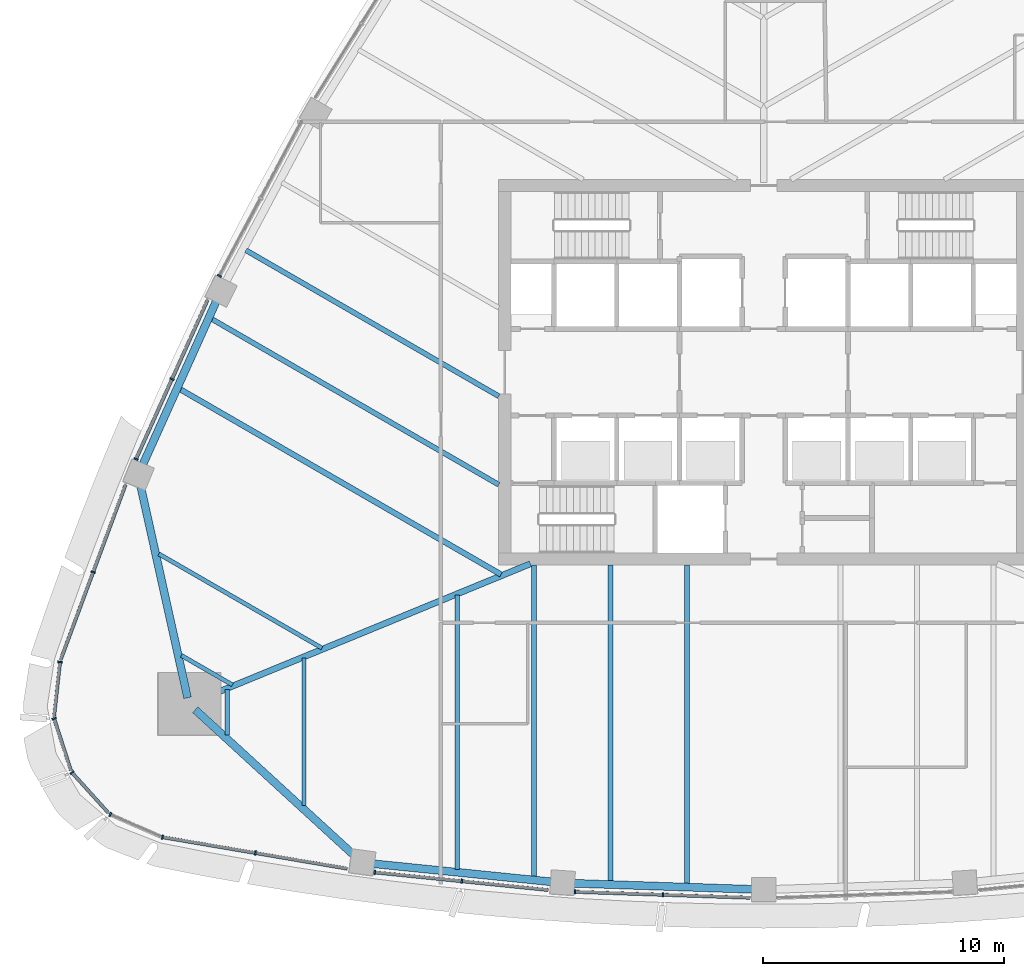
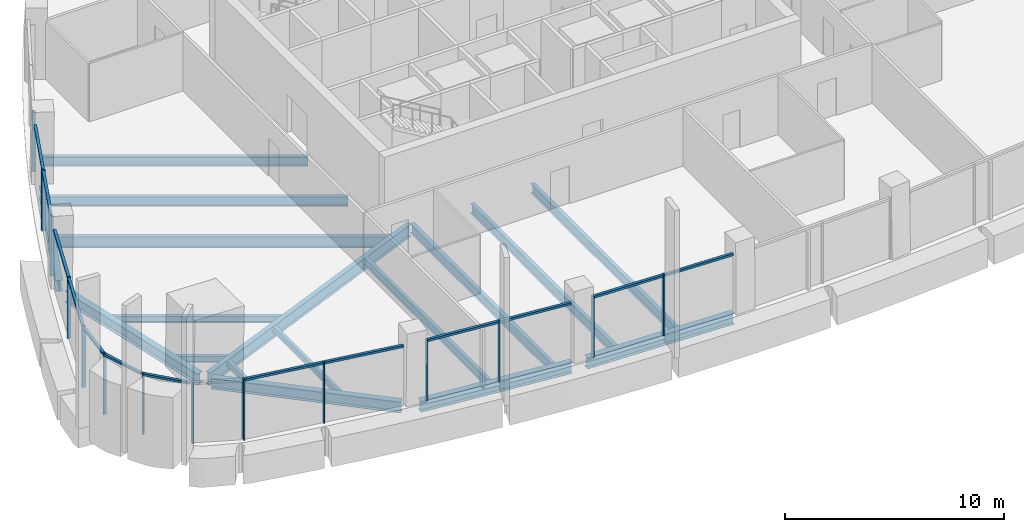
# One storey, part 2 of 17: 27 members, 17 beams, 10 elements without a shape of their own.
"""IFC4 building model written with IfcOpenShell, lengths in metres."""

from ifc_helpers import new_model, si_unit, direction, frame, origin, origin_2d, place, context, subcontext, project, spatial, rectangle, i_section, extrude, material, layer, layer_set, material_profile, profile_set, type_object, element, aggregate, save


model = new_model("IFC4")

# Units and contexts
model_context = context("Model", 3, precision=1e-05, world=origin(), true_north=direction((0.0, 1.0)))
body_context = subcontext(model_context, "Body", "Model", "MODEL_VIEW")
ifc_project = project(units=[si_unit("LENGTHUNIT", "METRE"), si_unit("AREAUNIT", "SQUARE_METRE"), si_unit("VOLUMEUNIT", "CUBIC_METRE"), si_unit("PLANEANGLEUNIT", "RADIAN"), si_unit("MASSUNIT", "GRAM", prefix="KILO")], contexts=[model_context])

# Site, building, storey
site_placement = place(None, origin())
site = spatial("IfcSite", under=ifc_project, at=site_placement, CompositionType="ELEMENT")
building_placement = place(site_placement, origin())
building = spatial("IfcBuilding", under=site, at=building_placement, Name="Sierra Prisma Convention Tower", CompositionType="ELEMENT")
storey_placement = place(building_placement, frame((0.0, 0.0, 169.800048828125)))
storey = spatial("IfcBuildingStorey", under=building, at=storey_placement, Name="L37", CompositionType="ELEMENT", Elevation=169.800048828125)

# Curtain wall, members
ifc_material_1 = material(Name="Aluminium and glass curtain wall", Category="aluminium")
ifc_layer = layer(ifc_material_1, 0.179931640625)
ifc_layer_set = layer_set([ifc_layer], Name="CW-1 Plain shaft curtain wall")
curtain_wall_type = type_object("IfcCurtainWallType", Name="CW-1 Plain shaft curtain wall", PredefinedType="NOTDEFINED", material=ifc_layer_set)
curtain_wall_1_placement = place(storey_placement, origin())
curtain_wall_1 = element("IfcCurtainWall", 1, at=curtain_wall_1_placement, inside=storey, type_object=curtain_wall_type, Name="CW-1 S1 L37", PredefinedType="NOTDEFINED")
ifc_material_2 = material(Name="Aluminium 6063-T6 bronze anodised", Category="aluminium")
ifc_material_profile_1 = material_profile(ifc_material_2, rectangle(XDim=0.179931640625, YDim=0.070068359375, at=origin_2d()), Name="ALU MULLION 70x180")
ifc_profile_set_1 = profile_set([ifc_material_profile_1], Name="Aluminium 6063-T6 bronze anodised")
member_type_1 = type_object("IfcMemberType", Name="CW mullion bronze", PredefinedType="MULLION", material=ifc_profile_set_1)
member_1_placement = place(storey_placement, frame((-24.957275390625, -19.3017578125, 0.0), z_axis=(0.0, 0.0, 1.0), x_axis=(0.167805067151, 0.985820196303, 0.0)))
member_1 = element("IfcMember", 2, at=member_1_placement, type_object=member_type_1, Name="CW-1 mullion S1.1", PredefinedType="MULLION", context=body_context, shape_type="SweptSolid", body=[
    extrude(rectangle(XDim=0.179931640625, YDim=0.070068359375, at=origin_2d()), origin(), (0.0, 0.0, 1.0), 3.39990234375),
])
member_2_placement = place(storey_placement, frame((-21.104736328125, -19.957763671875, 0.0), z_axis=(0.0, 0.0, 1.0), x_axis=(0.167805067151, 0.985820196303, 0.0)))
member_2 = element("IfcMember", 3, at=member_2_placement, type_object=member_type_1, Name="CW-1 mullion S1.2", PredefinedType="MULLION", context=body_context, shape_type="SweptSolid", body=[
    extrude(rectangle(XDim=0.179931640625, YDim=0.070068359375, at=origin_2d()), origin(), (0.0, 0.0, 1.0), 3.39990234375),
])

curtain_wall_2_placement = place(storey_placement, origin())
curtain_wall_2 = element("IfcCurtainWall", 4, at=curtain_wall_2_placement, inside=storey, type_object=curtain_wall_type, Name="CW-1 S2 L37", PredefinedType="NOTDEFINED")
member_3_placement = place(storey_placement, frame((-16.14794921875, -20.76171875, 0.0), z_axis=(0.0, 0.0, 1.0), x_axis=(0.100989190223, 0.994887523019, 0.0)))
member_3 = element("IfcMember", 5, at=member_3_placement, type_object=member_type_1, Name="CW-1 mullion S2.1", PredefinedType="MULLION", context=body_context, shape_type="SweptSolid", body=[
    extrude(rectangle(XDim=0.179931640625, YDim=0.070068359375, at=origin_2d()), origin(), (0.0, 0.0, 1.0), 3.39990234375),
])
member_4_placement = place(storey_placement, frame((-12.53076171875, -21.12890625, 0.0), z_axis=(0.0, 0.0, 1.0), x_axis=(0.100989190223, 0.994887523019, 0.0)))
member_4 = element("IfcMember", 6, at=member_4_placement, type_object=member_type_1, Name="CW-1 mullion S2.2", PredefinedType="MULLION", context=body_context, shape_type="SweptSolid", body=[
    extrude(rectangle(XDim=0.179931640625, YDim=0.070068359375, at=origin_2d()), origin(), (0.0, 0.0, 1.0), 3.39990234375),
])

curtain_wall_3_placement = place(storey_placement, origin())
curtain_wall_3 = element("IfcCurtainWall", 7, at=curtain_wall_3_placement, inside=storey, type_object=curtain_wall_type, Name="CW-1 S3 L37", PredefinedType="NOTDEFINED")
member_5_placement = place(storey_placement, frame((-7.833984375, -21.568603515625, 0.0), z_axis=(0.0, 0.0, 1.0), x_axis=(0.033714158083, 0.999431516185, 0.0)))
member_5 = element("IfcMember", 8, at=member_5_placement, type_object=member_type_1, Name="CW-1 mullion S3.1", PredefinedType="MULLION", context=body_context, shape_type="SweptSolid", body=[
    extrude(rectangle(XDim=0.179931640625, YDim=0.070068359375, at=origin_2d()), origin(), (0.0, 0.0, 1.0), 3.39990234375),
])
member_6_placement = place(storey_placement, frame((-4.184326171875, -21.691650390625, 0.0), z_axis=(0.0, 0.0, 1.0), x_axis=(0.033714158083, 0.999431516185, 0.0)))
member_6 = element("IfcMember", 9, at=member_6_placement, type_object=member_type_1, Name="CW-1 mullion S3.2", PredefinedType="MULLION", context=body_context, shape_type="SweptSolid", body=[
    extrude(rectangle(XDim=0.179931640625, YDim=0.070068359375, at=origin_2d()), origin(), (0.0, 0.0, 1.0), 3.39990234375),
])

# Curtain wall, member
curtain_wall_4_placement = place(storey_placement, origin())
curtain_wall_4 = element("IfcCurtainWall", 10, at=curtain_wall_4_placement, inside=storey, type_object=curtain_wall_type, Name="CW-1 NW4 L37", PredefinedType="NOTDEFINED")
member_7_placement = place(storey_placement, frame((-22.595947265625, 3.999755859375, 0.0), z_axis=(0.0, 0.0, 1.0), x_axis=(0.882390161401, -0.470518440726, 0.0)))
member_7 = element("IfcMember", 11, at=member_7_placement, type_object=member_type_1, Name="CW-1 mullion NW4.3", PredefinedType="MULLION", context=body_context, shape_type="SweptSolid", body=[
    extrude(rectangle(XDim=0.179931640625, YDim=0.070068359375, at=origin_2d()), origin(), (0.0, 0.0, 1.0), 3.39990234375),
])
aggregate(curtain_wall_4, [member_7])

# Curtain wall, members
curtain_wall_5_placement = place(storey_placement, origin())
curtain_wall_5 = element("IfcCurtainWall", 12, at=curtain_wall_5_placement, inside=storey, type_object=curtain_wall_type, Name="CW-1 NW5 L37", PredefinedType="NOTDEFINED")
member_8_placement = place(storey_placement, frame((-24.5634765625, -0.28759765625, 0.0), z_axis=(0.0, 0.0, 1.0), x_axis=(0.912092463954, -0.409984557268, 0.0)))
member_8 = element("IfcMember", 13, at=member_8_placement, type_object=member_type_1, Name="CW-1 mullion NW5.2", PredefinedType="MULLION", context=body_context, shape_type="SweptSolid", body=[
    extrude(rectangle(XDim=0.179931640625, YDim=0.070068359375, at=origin_2d()), origin(), (0.0, 0.0, 1.0), 3.39990234375),
])
member_9_placement = place(storey_placement, frame((-26.05419921875, -3.603759765625, 0.0), z_axis=(0.0, 0.0, 1.0), x_axis=(0.912092463954, -0.409984557268, 0.0)))
member_9 = element("IfcMember", 14, at=member_9_placement, type_object=member_type_1, Name="CW-1 mullion NW5.3", PredefinedType="MULLION", context=body_context, shape_type="SweptSolid", body=[
    extrude(rectangle(XDim=0.179931640625, YDim=0.070068359375, at=origin_2d()), origin(), (0.0, 0.0, 1.0), 3.39990234375),
])

# Curtain wall, member
curtain_wall_6_placement = place(storey_placement, origin())
curtain_wall_6 = element("IfcCurtainWall", 15, at=curtain_wall_6_placement, inside=storey, type_object=curtain_wall_type, Name="CW-1 NW6 L37", PredefinedType="NOTDEFINED")
member_10_placement = place(storey_placement, frame((-27.836181640625, -8.29833984375, 0.0), z_axis=(0.0, 0.0, 1.0), x_axis=(0.937647867137, -0.347586647115, 0.0)))
member_10 = element("IfcMember", 16, at=member_10_placement, type_object=member_type_1, Name="CW-1 mullion NW6.2", PredefinedType="MULLION", context=body_context, shape_type="SweptSolid", body=[
    extrude(rectangle(XDim=0.179931640625, YDim=0.070068359375, at=origin_2d()), origin(), (0.0, 0.0, 1.0), 3.39990234375),
])

curtain_wall_7_placement = place(storey_placement, origin())
curtain_wall_7 = element("IfcCurtainWall", 17, at=curtain_wall_7_placement, inside=storey, type_object=curtain_wall_type, Name="CW-1 SW1 L37", PredefinedType="NOTDEFINED")
member_11_placement = place(storey_placement, frame((-29.210693359375, -12.0302734375, 0.0), z_axis=(0.0, 0.0, 1.0), x_axis=(0.993949847664, -0.109834877556, 0.0)))
member_11 = element("IfcMember", 18, at=member_11_placement, type_object=member_type_1, Name="CW-1 mullion SW1.1", PredefinedType="MULLION", context=body_context, shape_type="SweptSolid", body=[
    extrude(rectangle(XDim=0.179931640625, YDim=0.070068359375, at=origin_2d()), origin(), (0.0, 0.0, 1.0), 3.39990234375),
])

curtain_wall_8_placement = place(storey_placement, origin())
curtain_wall_8 = element("IfcCurtainWall", 19, at=curtain_wall_8_placement, inside=storey, type_object=curtain_wall_type, Name="CW-1 SW2 L37", PredefinedType="NOTDEFINED")
member_12_placement = place(storey_placement, frame((-29.45556640625, -14.377685546875, 0.0), z_axis=(0.0, 0.0, 1.0), x_axis=(0.95160476925, 0.307324524143, 0.0)))
member_12 = element("IfcMember", 20, at=member_12_placement, type_object=member_type_1, Name="CW-1 mullion SW2.1", PredefinedType="MULLION", context=body_context, shape_type="SweptSolid", body=[
    extrude(rectangle(XDim=0.179931640625, YDim=0.070068359375, at=origin_2d()), origin(), (0.0, 0.0, 1.0), 3.39990234375),
])

curtain_wall_9_placement = place(storey_placement, origin())
curtain_wall_9 = element("IfcCurtainWall", 21, at=curtain_wall_9_placement, inside=storey, type_object=curtain_wall_type, Name="CW-1 SW3 L37", PredefinedType="NOTDEFINED")
member_13_placement = place(storey_placement, frame((-28.716552734375, -16.619140625, 0.0), z_axis=(0.0, 0.0, 1.0), x_axis=(0.741953229739, 0.670451642462, 0.0)))
member_13 = element("IfcMember", 22, at=member_13_placement, type_object=member_type_1, Name="CW-1 mullion SW3.1", PredefinedType="MULLION", context=body_context, shape_type="SweptSolid", body=[
    extrude(rectangle(XDim=0.179931640625, YDim=0.070068359375, at=origin_2d()), origin(), (0.0, 0.0, 1.0), 3.39990234375),
])

curtain_wall_10_placement = place(storey_placement, origin())
curtain_wall_10 = element("IfcCurtainWall", 23, at=curtain_wall_10_placement, inside=storey, type_object=curtain_wall_type, Name="CW-1 SW4 L37", PredefinedType="NOTDEFINED")
member_14_placement = place(storey_placement, frame((-27.123779296875, -18.3603515625, 0.0), z_axis=(0.0, 0.0, 1.0), x_axis=(0.401855129647, 0.915703256943, 0.0)))
member_14 = element("IfcMember", 24, at=member_14_placement, type_object=member_type_1, Name="CW-1 mullion SW4.1", PredefinedType="MULLION", context=body_context, shape_type="SweptSolid", body=[
    extrude(rectangle(XDim=0.179931640625, YDim=0.070068359375, at=origin_2d()), origin(), (0.0, 0.0, 1.0), 3.39990234375),
])
aggregate(curtain_wall_10, [member_14])

# Member
ifc_material_3 = material(Name="Aluminium 6063-T6 bronze anodised", Category="aluminium")
ifc_material_profile_2 = material_profile(ifc_material_3, rectangle(XDim=0.139892578125, YDim=0.1201171875, at=origin_2d()), Name="ALU TRANSOM 120x140")
ifc_profile_set_2 = profile_set([ifc_material_profile_2], Name="Aluminium 6063-T6 bronze anodised")
member_type_2 = type_object("IfcMemberType", Name="CW transom bronze", PredefinedType="USERDEFINED", material=ifc_profile_set_2)
member_15_placement = place(storey_placement, frame((-24.9228515625, -19.3076171875, 3.33984375), z_axis=(0.985820722023, -0.167801978623, 0.0), x_axis=(0.167801978623, 0.985820722023, 0.0)))
member_15 = element("IfcMember", 25, at=member_15_placement, type_object=member_type_2, Name="CW-1 transom S1.1", ObjectType="TRANSOM", PredefinedType="USERDEFINED", context=body_context, shape_type="SweptSolid", body=[
    extrude(rectangle(XDim=0.139892578125, YDim=0.1201171875, at=origin_2d()), origin(), (0.0, 0.0, 1.0), 3.838134765625),
])

member_16_placement = place(storey_placement, frame((-21.0703125, -19.963623046875, 3.33984375), z_axis=(0.985820722023, -0.167801978623, 0.0), x_axis=(0.167801978623, 0.985820722023, 0.0)))
member_16 = element("IfcMember", 26, at=member_16_placement, type_object=member_type_2, Name="CW-1 transom S1.2", ObjectType="TRANSOM", PredefinedType="USERDEFINED", context=body_context, shape_type="SweptSolid", body=[
    extrude(rectangle(XDim=0.139892578125, YDim=0.1201171875, at=origin_2d()), origin(), (0.0, 0.0, 1.0), 3.838134765625),
])

aggregate(curtain_wall_1, [member_1, member_2, member_15, member_16])

member_17_placement = place(storey_placement, frame((-16.11328125, -20.765380859375, 3.33984375), z_axis=(0.994887625535, -0.100988180281, 0.0), x_axis=(0.100988180281, 0.994887625535, 0.0)))
member_17 = element("IfcMember", 27, at=member_17_placement, type_object=member_type_2, Name="CW-1 transom S2.1", ObjectType="TRANSOM", PredefinedType="USERDEFINED", context=body_context, shape_type="SweptSolid", body=[
    extrude(rectangle(XDim=0.139892578125, YDim=0.1201171875, at=origin_2d()), origin(), (0.0, 0.0, 1.0), 3.56591796875),
])

member_18_placement = place(storey_placement, frame((-12.49609375, -21.132568359375, 3.33984375), z_axis=(0.994887625535, -0.100988180281, 0.0), x_axis=(0.100988180281, 0.994887625535, 0.0)))
member_18 = element("IfcMember", 28, at=member_18_placement, type_object=member_type_2, Name="CW-1 transom S2.2", ObjectType="TRANSOM", PredefinedType="USERDEFINED", context=body_context, shape_type="SweptSolid", body=[
    extrude(rectangle(XDim=0.139892578125, YDim=0.1201171875, at=origin_2d()), origin(), (0.0, 0.0, 1.0), 3.56591796875),
])

aggregate(curtain_wall_2, [member_3, member_4, member_17, member_18])

member_19_placement = place(storey_placement, frame((-7.799072265625, -21.56982421875, 3.33984375), z_axis=(0.999432889211, -0.033673431133, 0.0), x_axis=(0.033673431133, 0.999432889211, 0.0)))
member_19 = element("IfcMember", 29, at=member_19_placement, type_object=member_type_2, Name="CW-1 transom S3.1", ObjectType="TRANSOM", PredefinedType="USERDEFINED", context=body_context, shape_type="SweptSolid", body=[
    extrude(rectangle(XDim=0.139892578125, YDim=0.1201171875, at=origin_2d()), origin(), (0.0, 0.0, 1.0), 3.58154296875),
])

member_20_placement = place(storey_placement, frame((-4.1494140625, -21.69287109375, 3.33984375), z_axis=(0.999430670451, -0.033739219933, 0.0), x_axis=(0.033739219933, 0.999430670451, 0.0)))
member_20 = element("IfcMember", 30, at=member_20_placement, type_object=member_type_2, Name="CW-1 transom S3.2", ObjectType="TRANSOM", PredefinedType="USERDEFINED", context=body_context, shape_type="SweptSolid", body=[
    extrude(rectangle(XDim=0.139892578125, YDim=0.1201171875, at=origin_2d()), origin(), (0.0, 0.0, 1.0), 3.581787109375),
])

aggregate(curtain_wall_3, [member_5, member_6, member_19, member_20])

member_21_placement = place(storey_placement, frame((-23.08740234375, 2.99658203125, 3.33984375), z_axis=(-0.409997383801, -0.912086698333, 0.0), x_axis=(0.912086698333, -0.409997383801, 0.0)))
member_21 = element("IfcMember", 31, at=member_21_placement, type_object=member_type_2, Name="CW-1 transom NW5.1", ObjectType="TRANSOM", PredefinedType="USERDEFINED", context=body_context, shape_type="SweptSolid", body=[
    extrude(rectangle(XDim=0.139892578125, YDim=0.1201171875, at=origin_2d()), origin(), (0.0, 0.0, 1.0), 3.565673828125),
])

member_22_placement = place(storey_placement, frame((-24.577880859375, -0.3193359375, 3.33984375), z_axis=(-0.409971780727, -0.912098206888, 0.0), x_axis=(0.912098206888, -0.409971780727, 0.0)))
member_22 = element("IfcMember", 32, at=member_22_placement, type_object=member_type_2, Name="CW-1 transom NW5.2", ObjectType="TRANSOM", PredefinedType="USERDEFINED", context=body_context, shape_type="SweptSolid", body=[
    extrude(rectangle(XDim=0.139892578125, YDim=0.1201171875, at=origin_2d()), origin(), (0.0, 0.0, 1.0), 3.56591796875),
])

aggregate(curtain_wall_5, [member_8, member_9, member_21, member_22])

member_23_placement = place(storey_placement, frame((-26.489990234375, -4.666748046875, 3.33984375), z_axis=(-0.347558804606, -0.937658187903, 0.0), x_axis=(0.937658187903, -0.347558804606, 0.0)))
member_23 = element("IfcMember", 33, at=member_23_placement, type_object=member_type_2, Name="CW-1 transom NW6.1", ObjectType="TRANSOM", PredefinedType="USERDEFINED", context=body_context, shape_type="SweptSolid", body=[
    extrude(rectangle(XDim=0.139892578125, YDim=0.1201171875, at=origin_2d()), origin(), (0.0, 0.0, 1.0), 3.838134765625),
])

member_24_placement = place(storey_placement, frame((-27.848388671875, -8.331298828125, 3.33984375), z_axis=(-0.347579535335, -0.937650503448, 0.0), x_axis=(0.937650503448, -0.347579535335, 0.0)))
member_24 = element("IfcMember", 34, at=member_24_placement, type_object=member_type_2, Name="CW-1 transom NW6.2", ObjectType="TRANSOM", PredefinedType="USERDEFINED", context=body_context, shape_type="SweptSolid", body=[
    extrude(rectangle(XDim=0.139892578125, YDim=0.1201171875, at=origin_2d()), origin(), (0.0, 0.0, 1.0), 3.837890625),
])

aggregate(curtain_wall_6, [member_10, member_23, member_24])

member_25_placement = place(storey_placement, frame((-29.21435546875, -12.065185546875, 3.33984375), z_axis=(-0.109816798726, -0.993951845271, 0.0), x_axis=(0.993951845271, -0.109816798726, 0.0)))
member_25 = element("IfcMember", 35, at=member_25_placement, type_object=member_type_2, Name="CW-1 transom SW1.1", ObjectType="TRANSOM", PredefinedType="USERDEFINED", context=body_context, shape_type="SweptSolid", body=[
    extrude(rectangle(XDim=0.139892578125, YDim=0.1201171875, at=origin_2d()), origin(), (0.0, 0.0, 1.0), 2.22314453125),
])

aggregate(curtain_wall_7, [member_11, member_25])

member_26_placement = place(storey_placement, frame((-29.44482421875, -14.410888671875, 3.33984375), z_axis=(0.307384587336, -0.951585369512, 0.0), x_axis=(0.951585369512, 0.307384587336, 0.0)))
member_26 = element("IfcMember", 36, at=member_26_placement, type_object=member_type_2, Name="CW-1 transom SW2.1", ObjectType="TRANSOM", PredefinedType="USERDEFINED", context=body_context, shape_type="SweptSolid", body=[
    extrude(rectangle(XDim=0.139892578125, YDim=0.1201171875, at=origin_2d()), origin(), (0.0, 0.0, 1.0), 2.22314453125),
])

aggregate(curtain_wall_8, [member_12, member_26])

member_27_placement = place(storey_placement, frame((-28.693115234375, -16.64501953125, 3.33984375), z_axis=(0.670455974931, -0.741949314764, 0.0), x_axis=(0.741949314764, 0.670455974931, 0.0)))
member_27 = element("IfcMember", 37, at=member_27_placement, type_object=member_type_2, Name="CW-1 transom SW3.1", ObjectType="TRANSOM", PredefinedType="USERDEFINED", context=body_context, shape_type="SweptSolid", body=[
    extrude(rectangle(XDim=0.139892578125, YDim=0.1201171875, at=origin_2d()), origin(), (0.0, 0.0, 1.0), 2.22314453125),
])

aggregate(curtain_wall_9, [member_13, member_27])

# Beams
ifc_material_4 = material(Name="Steel ASTM A992 Gr 50", Category="steel")
ifc_material_profile_3 = material_profile(ifc_material_4, i_section(OverallWidth=0.172119140625, OverallDepth=0.35791015625, WebThickness=0.0078125, FlangeThickness=0.01318359375, at=origin_2d()), Name="W360x57")
ifc_profile_set_3 = profile_set([ifc_material_profile_3], Name="Steel ASTM A992 Gr 50")
beam_type_1 = type_object("IfcBeamType", Name="Floor joist W360x57", PredefinedType="JOIST", material=ifc_profile_set_3)
beam_1_placement = place(storey_placement, frame((-22.268798828125, -15.0625, -0.3291015625), z_axis=(0.0, 1.0, 0.0), x_axis=(-1.0, 0.0, 0.0)))
element("IfcBeam", 38, at=beam_1_placement, inside=storey, type_object=beam_type_1, Name="Floor joist L37 S01", PredefinedType="JOIST", context=body_context, shape_type="SweptSolid", body=[
    extrude(i_section(OverallWidth=0.172119140625, OverallDepth=0.35791015625, WebThickness=0.0078125, FlangeThickness=0.01318359375, at=origin_2d()), origin(), (0.0, 0.0, 1.0), 1.8857421875),
])
beam_2_placement = place(storey_placement, frame((-19.08740234375, -17.9775390625, -0.3291015625), z_axis=(0.0, 1.0, 0.0), x_axis=(-1.0, 0.0, 0.0)))
element("IfcBeam", 39, at=beam_2_placement, inside=storey, type_object=beam_type_1, Name="Floor joist L37 S02", PredefinedType="JOIST", context=body_context, shape_type="SweptSolid", body=[
    extrude(i_section(OverallWidth=0.172119140625, OverallDepth=0.35791015625, WebThickness=0.0078125, FlangeThickness=0.01318359375, at=origin_2d()), origin(), (0.0, 0.0, 1.0), 6.107666015625),
])
beam_3_placement = place(storey_placement, frame((-25.11279296875, -7.54150390625, -0.3291015625), z_axis=(0.866021861762, -0.500006134913, 0.0), x_axis=(0.500006134913, 0.866021861762, 0.0)))
element("IfcBeam", 40, at=beam_3_placement, inside=storey, type_object=beam_type_1, Name="Floor joist L37 NW14", PredefinedType="JOIST", context=body_context, shape_type="SweptSolid", body=[
    extrude(i_section(OverallWidth=0.172119140625, OverallDepth=0.35791015625, WebThickness=0.0078125, FlangeThickness=0.01318359375, at=origin_2d()), origin(), (0.0, 0.0, 1.0), 7.822265625),
])
beam_4_placement = place(storey_placement, frame((-24.1787109375, -11.754150390625, -0.3291015625), z_axis=(0.866046247233, -0.49996389635, 0.0), x_axis=(0.49996389635, 0.866046247233, 0.0)))
element("IfcBeam", 41, at=beam_4_placement, inside=storey, type_object=beam_type_1, Name="Floor joist L37 NW15", PredefinedType="JOIST", context=body_context, shape_type="SweptSolid", body=[
    extrude(i_section(OverallWidth=0.172119140625, OverallDepth=0.35791015625, WebThickness=0.0078125, FlangeThickness=0.01318359375, at=origin_2d()), origin(), (0.0, 0.0, 1.0), 2.450927734375),
])
ifc_material_5 = material(Name="Steel ASTM A992 Gr 50", Category="steel")
ifc_material_profile_4 = material_profile(ifc_material_5, i_section(OverallWidth=0.18994140625, OverallDepth=0.45703125, WebThickness=0.009033203125, FlangeThickness=0.014404296875, at=origin_2d()), Name="W460x74")
ifc_profile_set_4 = profile_set([ifc_material_profile_4], Name="Steel ASTM A992 Gr 50")
beam_type_2 = type_object("IfcBeamType", Name="Floor joist W460x74", PredefinedType="JOIST", material=ifc_profile_set_4)
beam_5_placement = place(storey_placement, frame((-12.72509765625, -20.644287109375, -0.378662109375), z_axis=(0.0, 1.0, 0.0), x_axis=(-1.0, 0.0, 0.0)))
element("IfcBeam", 42, at=beam_5_placement, inside=storey, type_object=beam_type_2, Name="Floor joist L37 S04", PredefinedType="JOIST", context=body_context, shape_type="SweptSolid", body=[
    extrude(i_section(OverallWidth=0.18994140625, OverallDepth=0.45703125, WebThickness=0.009033203125, FlangeThickness=0.014404296875, at=origin_2d()), origin(), (0.0, 0.0, 1.0), 11.387939453125),
])
ifc_material_6 = material(Name="Steel ASTM A992 Gr 50", Category="steel")
ifc_material_profile_5 = material_profile(ifc_material_6, i_section(OverallWidth=0.208984375, OverallDepth=0.532958984375, WebThickness=0.01025390625, FlangeThickness=0.015625, at=origin_2d()), Name="W530x92")
ifc_profile_set_5 = profile_set([ifc_material_profile_5], Name="Steel ASTM A992 Gr 50")
beam_type_3 = type_object("IfcBeamType", Name="Floor joist W530x92", PredefinedType="JOIST", material=ifc_profile_set_5)
beam_6_placement = place(storey_placement, frame((-9.543701171875, -20.96728515625, -0.41650390625), z_axis=(0.0, 1.0, 0.0), x_axis=(-1.0, 0.0, 0.0)))
element("IfcBeam", 43, at=beam_6_placement, inside=storey, type_object=beam_type_3, Name="Floor joist L37 S05", PredefinedType="JOIST", context=body_context, shape_type="SweptSolid", body=[
    extrude(i_section(OverallWidth=0.208984375, OverallDepth=0.532958984375, WebThickness=0.01025390625, FlangeThickness=0.015625, at=origin_2d()), origin(), (0.0, 0.0, 1.0), 12.96728515625),
])
beam_7_placement = place(storey_placement, frame((-6.362548828125, -21.155517578125, -0.41650390625), z_axis=(0.0, 1.0, 0.0), x_axis=(-1.0, 0.0, 0.0)))
element("IfcBeam", 44, at=beam_7_placement, inside=storey, type_object=beam_type_3, Name="Floor joist L37 S06", PredefinedType="JOIST", context=body_context, shape_type="SweptSolid", body=[
    extrude(i_section(OverallWidth=0.208984375, OverallDepth=0.532958984375, WebThickness=0.01025390625, FlangeThickness=0.015625, at=origin_2d()), origin(), (0.0, 0.0, 1.0), 13.155517578125),
])
beam_8_placement = place(storey_placement, frame((-3.18115234375, -21.262939453125, -0.41650390625), z_axis=(0.0, 1.0, 0.0), x_axis=(-1.0, 0.0, 0.0)))
element("IfcBeam", 45, at=beam_8_placement, inside=storey, type_object=beam_type_3, Name="Floor joist L37 S07", PredefinedType="JOIST", context=body_context, shape_type="SweptSolid", body=[
    extrude(i_section(OverallWidth=0.208984375, OverallDepth=0.532958984375, WebThickness=0.01025390625, FlangeThickness=0.015625, at=origin_2d()), origin(), (0.0, 0.0, 1.0), 13.262939453125),
])
beam_9_placement = place(storey_placement, frame((-21.50244140625, 5.067626953125, -0.41650390625), z_axis=(0.866029360375, -0.499993146922, 0.0), x_axis=(0.499993146922, 0.866029360375, 0.0)))
element("IfcBeam", 46, at=beam_9_placement, inside=storey, type_object=beam_type_3, Name="Floor joist L37 NW10", PredefinedType="JOIST", context=body_context, shape_type="SweptSolid", body=[
    extrude(i_section(OverallWidth=0.208984375, OverallDepth=0.532958984375, WebThickness=0.01025390625, FlangeThickness=0.015625, at=origin_2d()), origin(), (0.0, 0.0, 1.0), 12.127197265625),
])
beam_10_placement = place(storey_placement, frame((-22.929931640625, 2.218505859375, -0.41650390625), z_axis=(0.866019424821, -0.500010355725, 0.0), x_axis=(0.500010355725, 0.866019424821, 0.0)))
element("IfcBeam", 47, at=beam_10_placement, inside=storey, type_object=beam_type_3, Name="Floor joist L37 NW11", PredefinedType="JOIST", context=body_context, shape_type="SweptSolid", body=[
    extrude(i_section(OverallWidth=0.208984375, OverallDepth=0.532958984375, WebThickness=0.01025390625, FlangeThickness=0.015625, at=origin_2d()), origin(), (0.0, 0.0, 1.0), 13.775634765625),
])
ifc_material_7 = material(Name="Steel ASTM A992 Gr 50", Category="steel")
ifc_material_profile_6 = material_profile(ifc_material_7, i_section(OverallWidth=0.22802734375, OverallDepth=0.60302734375, WebThickness=0.010498046875, FlangeThickness=0.014892578125, at=origin_2d()), Name="W610x101")
ifc_profile_set_6 = profile_set([ifc_material_profile_6], Name="Steel ASTM A992 Gr 50")
beam_type_4 = type_object("IfcBeamType", Name="Floor joist W610x101", PredefinedType="JOIST", material=ifc_profile_set_6)
beam_11_placement = place(storey_placement, frame((-24.240966796875, -0.697998046875, -0.45166015625), z_axis=(0.866022968346, -0.500004218279, 0.0), x_axis=(0.500004218279, 0.866022968346, 0.0)))
element("IfcBeam", 48, at=beam_11_placement, inside=storey, type_object=beam_type_4, Name="Floor joist L37 NW12", PredefinedType="JOIST", context=body_context, shape_type="SweptSolid", body=[
    extrude(i_section(OverallWidth=0.22802734375, OverallDepth=0.60302734375, WebThickness=0.010498046875, FlangeThickness=0.014892578125, at=origin_2d()), origin(), (0.0, 0.0, 1.0), 15.400634765625),
])
ifc_material_8 = material(Name="Steel ASTM A992 Gr 50", Category="steel")
ifc_material_profile_7 = material_profile(ifc_material_8, i_section(OverallWidth=0.25390625, OverallDepth=0.68408203125, WebThickness=0.012451171875, FlangeThickness=0.018798828125, at=origin_2d()), Name="W690x140")
ifc_profile_set_7 = profile_set([ifc_material_profile_7], Name="Steel ASTM A992 Gr 50")
beam_type_5 = type_object("IfcBeamType", Name="Radial girder W690x140", PredefinedType="BEAM", material=ifc_profile_set_7)
beam_12_placement = place(storey_placement, frame((-23.599365234375, -13.66845703125, -0.491943359375), z_axis=(0.924998523693, 0.379970697773, 0.0), x_axis=(-0.379970697773, 0.924998523693, 0.0)))
element("IfcBeam", 49, at=beam_12_placement, inside=storey, type_object=beam_type_5, Name="Radial girder L37 SW", PredefinedType="BEAM", context=body_context, shape_type="SweptSolid", body=[
    extrude(i_section(OverallWidth=0.25390625, OverallDepth=0.68408203125, WebThickness=0.012451171875, FlangeThickness=0.018798828125, at=origin_2d()), origin(), (0.0, 0.0, 1.0), 15.038330078125),
])
ifc_material_9 = material(Name="Steel ASTM A992 Gr 50", Category="steel")
ifc_material_profile_8 = material_profile(ifc_material_9, i_section(OverallWidth=0.324951171875, OverallDepth=0.615966796875, WebThickness=0.013916015625, FlangeThickness=0.021484375, at=origin_2d()), Name="W610x174")
ifc_profile_set_8 = profile_set([ifc_material_profile_8], Name="Steel ASTM A992 Gr 50")
beam_type_6 = type_object("IfcBeamType", Name="Spandrel beam W610x174", PredefinedType="BEAM", material=ifc_profile_set_8)
beam_13_placement = place(storey_placement, frame((-23.599365234375, -14.013427734375, -0.4580078125), z_axis=(0.737267999273, -0.675600397608, 0.0), x_axis=(0.675600397608, 0.737267999273, 0.0)))
element("IfcBeam", 50, at=beam_13_placement, inside=storey, type_object=beam_type_6, Name="Spandrel L37-01", PredefinedType="BEAM", context=body_context, shape_type="SweptSolid", body=[
    extrude(i_section(OverallWidth=0.324951171875, OverallDepth=0.615966796875, WebThickness=0.013916015625, FlangeThickness=0.021484375, at=origin_2d()), origin(), (0.0, 0.0, 1.0), 8.89990234375),
])
for number, where, z_axis, x_axis, name in (
    (51, (-16.29931640625, -20.394775390625, -0.4580078125), (0.994886299798, -0.101001239965, 0.0), (0.101001239965, 0.994886299798, 0.0), "Spandrel L37-02"),
    (52, (-7.977783203125, -21.213623046875, -0.4580078125), (0.99943127959, -0.033721171066, 0.0), (0.033721171066, 0.99943127959, 0.0), "Spandrel L37-03"),
    (53, (-22.6953125, 3.015625, -0.4580078125), (-0.409978727728, -0.912095084303, 0.0), (0.912095084303, -0.409978727728, 0.0), "Spandrel L37-17"),
):
    element("IfcBeam", number, at=place(storey_placement, frame(where, z_axis=z_axis, x_axis=x_axis)), inside=storey, type_object=beam_type_6, Name=name, PredefinedType="BEAM", context=body_context, shape_type="SweptSolid", body=[
        extrude(i_section(OverallWidth=0.324951171875, OverallDepth=0.615966796875, WebThickness=0.013916015625, FlangeThickness=0.021484375, at=origin_2d()), origin(), (0.0, 0.0, 1.0), 7.60205078125),
    ])
beam_14_placement = place(storey_placement, frame((-25.862060546875, -4.7421875, -0.4580078125), z_axis=(0.216455772995, -0.976292424603, 0.0), x_axis=(0.976292424603, 0.216455772995, 0.0)))
element("IfcBeam", 54, at=beam_14_placement, inside=storey, type_object=beam_type_6, Name="Spandrel L37-18", PredefinedType="BEAM", context=body_context, shape_type="SweptSolid", body=[
    extrude(i_section(OverallWidth=0.324951171875, OverallDepth=0.615966796875, WebThickness=0.013916015625, FlangeThickness=0.021484375, at=origin_2d()), origin(), (0.0, 0.0, 1.0), 8.986083984375),
])

save(model, "model.ifc")
